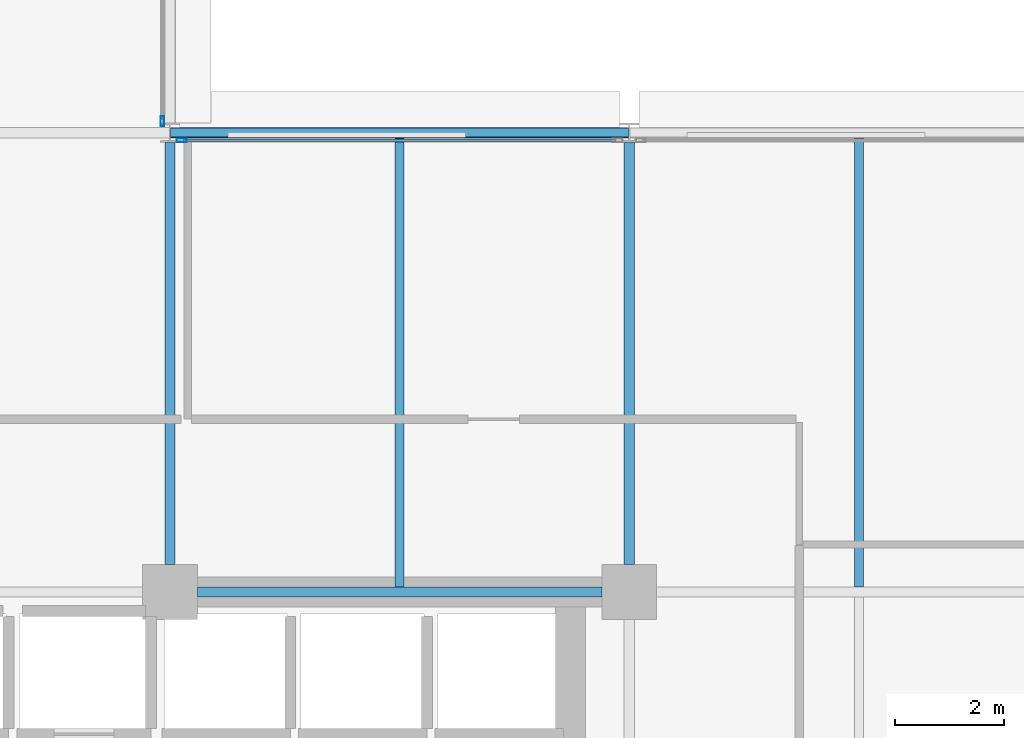
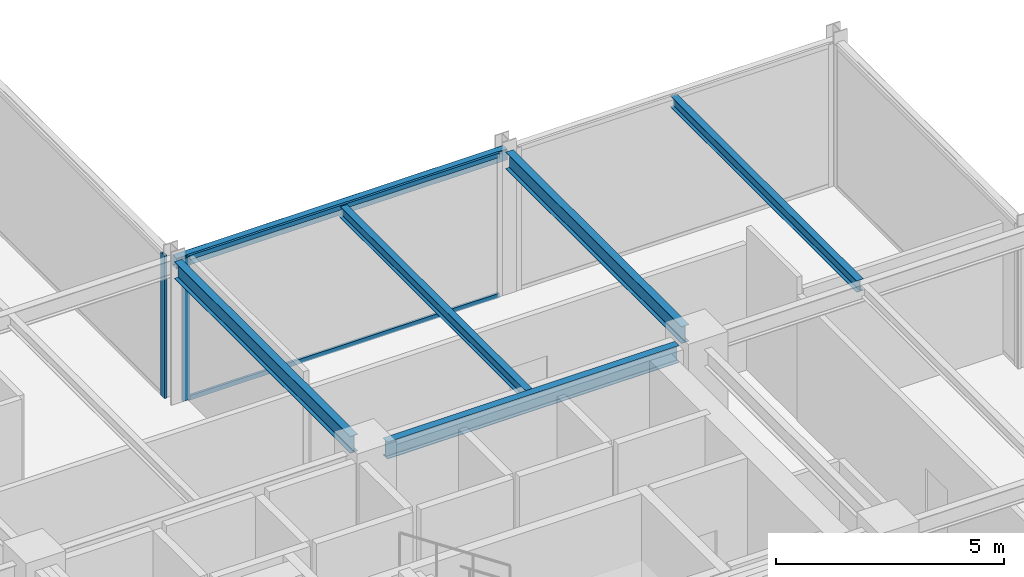
# One storey, part 14 of 29: 6 beams, 4 members, 2 elements without a shape of their own.
"""IFC4 building model written with IfcOpenShell, lengths in metres."""

import ifcopenshell
import ifcopenshell.guid

model = None  # the IFC model being written
_history = None  # IfcOwnerHistory: only IFC2X3 demands one
_inside = {}  # id of a spatial element -> (the spatial element, [elements in it])
_under = {}  # id of a project, library or spatial element -> (it, [spatial elements below it])
_declared = {}  # id of a project -> (the project, [libraries it declares])
_typed = {}  # id of a type object -> (the type object, [elements of that type])
_made_of = {}  # id of a material, layer set ... -> (it, [elements and type objects made of it])


def new_model(schema):
    """Start an empty IFC model of exactly this schema.

    Asked for "IFC4X3", IfcOpenShell would pick the latest addendum, in which some entities
    have other attributes; the version numbers below select the first issue.
    IFC2X3 requires an IfcOwnerHistory on every rooted entity: one is made here for all.
    """
    global model, _history
    if schema == "IFC4X3":
        model = ifcopenshell.file(schema_version=(4, 3, 0, 0))
    else:
        model = ifcopenshell.file(schema=schema)
    _inside.clear()
    _under.clear()
    _declared.clear()
    _typed.clear()
    _made_of.clear()
    _history = None
    if model.schema == "IFC2X3":
        org = make("IfcOrganization", Name="unknown")
        user = make(
            "IfcPersonAndOrganization",
            ThePerson=make("IfcPerson", FamilyName="unknown"),
            TheOrganization=org,
        )
        app = make(
            "IfcApplication",
            ApplicationDeveloper=org,
            Version="unknown",
            ApplicationFullName="unknown",
            ApplicationIdentifier="unknown",
        )
        _history = make(
            "IfcOwnerHistory",
            OwningUser=user,
            OwningApplication=app,
            ChangeAction="ADDED",
            CreationDate=0,
        )
    return model


def make(cls, **values):
    """One entity of the class cls with the attributes given. An attribute that is None is left unset."""
    return model.create_entity(
        cls, **{name: value for name, value in values.items() if value is not None}
    )


def rooted(cls, **values):
    """An entity with a GlobalId (a new one), such as an element, a storey or a relation."""
    return make(cls, GlobalId=ifcopenshell.guid.new(), OwnerHistory=_history, **values)


def si_unit(unit_type, name, prefix=None):
    """IfcSIUnit, for example si_unit("LENGTHUNIT", "METRE", prefix="MILLI")."""
    return make("IfcSIUnit", UnitType=unit_type, Prefix=prefix, Name=name)


def assignment(units):
    """IfcUnitAssignment: the units of a project."""
    return None if units is None else make("IfcUnitAssignment", Units=units)


def point(xyz):
    """IfcCartesianPoint."""
    return None if xyz is None else make("IfcCartesianPoint", Coordinates=xyz)


def direction(xyz):
    """IfcDirection."""
    return None if xyz is None else make("IfcDirection", DirectionRatios=xyz)


def frame(location, z_axis=None, x_axis=None):
    """IfcAxis2Placement3D, a coordinate frame: its origin and axes. An axis left out is left unset."""
    return make(
        "IfcAxis2Placement3D",
        Location=point(location),
        Axis=direction(z_axis),
        RefDirection=direction(x_axis),
    )


def frame_2d(location, x_axis=None):
    """IfcAxis2Placement2D, a coordinate frame in the plane: its origin and x axis."""
    return make(
        "IfcAxis2Placement2D", Location=point(location), RefDirection=direction(x_axis)
    )


def origin():
    """The frame at (0, 0, 0) with its axes left unset."""
    return frame((0.0, 0.0, 0.0))


def origin_2d():
    """The frame at (0, 0) in the plane with its x axis left unset."""
    return frame_2d((0.0, 0.0))


def place(relative_to, where):
    """IfcLocalPlacement: puts the frame where relative to a parent placement (None: the world)."""
    return make(
        "IfcLocalPlacement", PlacementRelTo=relative_to, RelativePlacement=where
    )


def context(
    kind, dimensions, precision=None, world=None, true_north=None, identifier=None
):
    """IfcGeometricRepresentationContext, for example the 3D "Model" context."""
    return make(
        "IfcGeometricRepresentationContext",
        ContextIdentifier=identifier,
        ContextType=kind,
        CoordinateSpaceDimension=dimensions,
        Precision=precision,
        WorldCoordinateSystem=world,
        TrueNorth=true_north,
    )


def subcontext(parent, identifier, kind, view, scale=None):
    """IfcGeometricRepresentationSubContext, for example "Body" below "Model"."""
    return make(
        "IfcGeometricRepresentationSubContext",
        ContextIdentifier=identifier,
        ContextType=kind,
        ParentContext=parent,
        TargetScale=scale,
        TargetView=view,
    )


def project(units=None, contexts=None):
    """IfcProject with its units and contexts."""
    return rooted(
        "IfcProject",
        Name="project",
        RepresentationContexts=contexts,
        UnitsInContext=assignment(units),
    )


def spatial(cls, under=None, at=None, **own):
    """A site, building, storey or space (cls), placed at a placement, below another one or the project."""
    s = rooted(cls, ObjectPlacement=at, **own)
    if under is not None:
        _under.setdefault(under.id(), (under, []))[1].append(s)
    return s


def profile(cls, at=None, kind="AREA", **sizes):
    """A parametric profile (cls). Its sizes go by their IFC names, for example OverallWidth=200.0."""
    return make(cls, ProfileType=kind, Position=at, **sizes)


def hollow_rectangle(**sizes):
    """IfcRectangleHollowProfileDef."""
    return profile("IfcRectangleHollowProfileDef", **sizes)


def i_section(**sizes):
    """IfcIShapeProfileDef."""
    return profile("IfcIShapeProfileDef", **sizes)


def extrude(swept, where, along, depth):
    """IfcExtrudedAreaSolid: the profile swept, set in the frame where, extruded along a direction by depth."""
    return make(
        "IfcExtrudedAreaSolid",
        SweptArea=swept,
        Position=where,
        ExtrudedDirection=direction(along),
        Depth=depth,
    )


def shape(context_of_items, identifier, shape_type, items):
    """IfcShapeRepresentation: the items that make up one representation, for example the "Body"."""
    return make(
        "IfcShapeRepresentation",
        ContextOfItems=context_of_items,
        RepresentationIdentifier=identifier,
        RepresentationType=shape_type,
        Items=items,
    )


def material(Name=None, Category=None):
    """IfcMaterial."""
    return make("IfcMaterial", Name=Name, Category=Category)


def layer(
    of_material, thickness, ventilated=None, Name=None, Category=None, Priority=None
):
    """IfcMaterialLayer: one layer of a wall or slab, of a material (None: an air gap)."""
    return make(
        "IfcMaterialLayer",
        Material=of_material,
        LayerThickness=thickness,
        IsVentilated=ventilated,
        Name=Name,
        Category=Category,
        Priority=Priority,
    )


def layer_set(layers, Name=None):
    """IfcMaterialLayerSet."""
    return make("IfcMaterialLayerSet", MaterialLayers=layers, LayerSetName=Name)


def material_profile(
    of_material, cross_section, Name=None, Category=None, Priority=None
):
    """IfcMaterialProfile: a cross section and its material."""
    return make(
        "IfcMaterialProfile",
        Name=Name,
        Material=of_material,
        Profile=cross_section,
        Priority=Priority,
        Category=Category,
    )


def profile_set(profiles, Name=None, composite=None):
    """IfcMaterialProfileSet."""
    return make(
        "IfcMaterialProfileSet",
        Name=Name,
        MaterialProfiles=profiles,
        CompositeProfile=composite,
    )


def made_of(thing, what):
    """Note that an element or type object is made of a material, layer set ...; save() writes the relation."""
    if what is not None:
        _made_of.setdefault(what.id(), (what, []))[1].append(thing)
    return thing


def type_object(cls, material=None, **own):
    """A type object (cls), such as IfcWallType, which elements share."""
    return made_of(rooted(cls, **own), material)


def element(
    cls,
    number,
    at=None,
    inside=None,
    cuts=None,
    type_object=None,
    material=None,
    context=None,
    identifier="Body",
    shape_type=None,
    held_by="IfcProductDefinitionShape",
    body=None,
    shapes=None,
    **own,
):
    """One element of the class cls, such as IfcWall. Its Tag is "e" and its number.

    at: its placement. inside: the storey or other place that contains it. cuts: it is an
    opening in that element (IfcRelVoidsElement). A single representation is given by context,
    identifier, shape_type and body (its items); several are given by shapes. held_by: the class
    of the entity that holds the representations. save() writes the other relations.
    """
    e = rooted(cls, Tag="e%d" % number, ObjectPlacement=at, **own)
    if body is not None:
        shapes = [shape(context, identifier, shape_type, body)]
    if shapes is not None:
        e.Representation = make(held_by, Representations=shapes)
    if inside is not None:
        _inside.setdefault(inside.id(), (inside, []))[1].append(e)
    if cuts is not None:
        rooted(
            "IfcRelVoidsElement", RelatingBuildingElement=cuts, RelatedOpeningElement=e
        )
    if type_object is not None:
        _typed.setdefault(type_object.id(), (type_object, []))[1].append(e)
    return made_of(e, material)


def aggregate(whole, parts):
    """IfcRelAggregates: a whole, such as a stair, and the parts it consists of."""
    return rooted("IfcRelAggregates", RelatingObject=whole, RelatedObjects=parts)


def save(model, path):
    """Write the relations noted so far, then the file.

    IfcRelAggregates (storeys below a building ...), IfcRelContainedInSpatialStructure (elements
    in a storey), IfcRelDefinesByType, IfcRelAssociatesMaterial and IfcRelDeclares: one each for
    every whole, place, type object, material and project.
    """
    for whole, parts in _under.values():
        aggregate(whole, parts)
    for where, things in _inside.values():
        rooted(
            "IfcRelContainedInSpatialStructure",
            RelatedElements=things,
            RelatingStructure=where,
        )
    for kind, things in _typed.values():
        rooted("IfcRelDefinesByType", RelatedObjects=things, RelatingType=kind)
    for what, things in _made_of.values():
        rooted("IfcRelAssociatesMaterial", RelatedObjects=things, RelatingMaterial=what)
    for by, libraries in _declared.values():
        rooted("IfcRelDeclares", RelatingContext=by, RelatedDefinitions=libraries)
    model.write(path)


model = new_model("IFC4")

# Units and contexts
model_context = context("Model", 3, precision=1e-05, world=origin(), true_north=direction((0.0, 1.0)))
body_context = subcontext(model_context, "Body", "Model", "MODEL_VIEW")
ifc_project = project(units=[si_unit("LENGTHUNIT", "METRE"), si_unit("AREAUNIT", "SQUARE_METRE"), si_unit("VOLUMEUNIT", "CUBIC_METRE"), si_unit("PLANEANGLEUNIT", "RADIAN"), si_unit("MASSUNIT", "GRAM", prefix="KILO")], contexts=[model_context])

# Site, building, storey
site_placement = place(None, origin())
site = spatial("IfcSite", under=ifc_project, at=site_placement, CompositionType="ELEMENT")
building_placement = place(site_placement, origin())
building = spatial("IfcBuilding", under=site, at=building_placement, Name="Nerrivon Quay Data Exchange", CompositionType="ELEMENT")
storey_placement = place(building_placement, frame((0.0, 0.0, 204.199951171875)))
storey = spatial("IfcBuildingStorey", under=building, at=storey_placement, Name="L48", CompositionType="ELEMENT", Elevation=204.199951171875)

# Beams
ifc_material_1 = material(Name="Steel Grade 350", Category="steel")
ifc_material_profile_1 = material_profile(ifc_material_1, i_section(OverallWidth=0.19091796875, OverallDepth=0.4599609375, WebThickness=0.010009765625, FlangeThickness=0.01611328125, FilletRadius=0.011474609375, at=origin_2d()), Name="460UB82.1")
ifc_profile_set_1 = profile_set([ifc_material_profile_1], Name="Steel Grade 350")
beam_type_1 = type_object("IfcBeamType", Name="BM-G5-460UB82", PredefinedType="BEAM", material=ifc_profile_set_1)
beam_1_placement = place(storey_placement, frame((25.699951171875, 16.800048828125, 3.594970703125), z_axis=(1.0, 0.0, 0.0), x_axis=(0.0, 1.0, 0.0)))
element("IfcBeam", 1, at=beam_1_placement, inside=storey, type_object=beam_type_1, Name="L48 EW Girder Y=16.8 (25.2..33.6)", PredefinedType="BEAM", context=body_context, shape_type="SweptSolid", body=[
    extrude(i_section(OverallWidth=0.19091796875, OverallDepth=0.4599609375, WebThickness=0.010009765625, FlangeThickness=0.01611328125, FilletRadius=0.011474609375, at=origin_2d()), origin(), (0.0, 0.0, 1.0), 7.400146484375),
])
ifc_material_profile_2 = material_profile(ifc_material_1, i_section(OverallWidth=0.18994140625, OverallDepth=0.4541015625, WebThickness=0.008544921875, FlangeThickness=0.0126953125, FilletRadius=0.011474609375, at=origin_2d()), Name="460UB67.1")
ifc_profile_set_2 = profile_set([ifc_material_profile_2], Name="Steel Grade 350")
beam_type_2 = type_object("IfcBeamType", Name="BM-G6-460UB67", PredefinedType="BEAM", material=ifc_profile_set_2)
for number, where, z_axis, x_axis, name in (
    (2, (25.199951171875, 17.300048828125, 3.59814453125), (0.0, 1.0, 0.0), (-1.0, 0.0, 0.0), "L48 NS Girder X=25.2 (16.8..25.2)"),
    (3, (33.60009765625, 17.300048828125, 3.59814453125), (0.0, 1.0, 0.0), (-1.0, 0.0, 0.0), "L48 NS Girder X=33.6 (16.8..25.2)"),
):
    element("IfcBeam", number, at=place(storey_placement, frame(where, z_axis=z_axis, x_axis=x_axis)), inside=storey, type_object=beam_type_2, Name=name, PredefinedType="BEAM", context=body_context, shape_type="SweptSolid", body=[
        extrude(i_section(OverallWidth=0.18994140625, OverallDepth=0.4541015625, WebThickness=0.008544921875, FlangeThickness=0.0126953125, FilletRadius=0.011474609375, at=origin_2d()), origin(), (0.0, 0.0, 1.0), 7.724853515625),
    ])
ifc_material_profile_3 = material_profile(ifc_material_1, i_section(OverallWidth=0.166015625, OverallDepth=0.306884765625, WebThickness=0.006591796875, FlangeThickness=0.01171875, FilletRadius=0.011474609375, at=origin_2d()), Name="310UB46.2")
ifc_profile_set_3 = profile_set([ifc_material_profile_3], Name="Steel Grade 350")
beam_type_3 = type_object("IfcBeamType", Name="BM-J5-310UB46", PredefinedType="JOIST", material=ifc_profile_set_3)
for number, where, z_axis, x_axis, name in (
    (4, (29.39990234375, 16.8955078125, 3.671630859375), (0.0, 1.0, 0.0), (-1.0, 0.0, 0.0), "L48 Secondary Joist X=29.4 (16.8..25.2)"),
    (5, (37.800048828125, 16.8955078125, 3.671630859375), (0.0, 1.0, 0.0), (-1.0, 0.0, 0.0), "L48 Secondary Joist X=37.8 (16.8..25.2)"),
):
    element("IfcBeam", number, at=place(storey_placement, frame(where, z_axis=z_axis, x_axis=x_axis)), inside=storey, type_object=beam_type_3, Name=name, PredefinedType="JOIST", context=body_context, shape_type="SweptSolid", body=[
        extrude(i_section(OverallWidth=0.166015625, OverallDepth=0.306884765625, WebThickness=0.006591796875, FlangeThickness=0.01171875, FilletRadius=0.011474609375, at=origin_2d()), origin(), (0.0, 0.0, 1.0), 8.20458984375),
    ])
ifc_material_2 = material(Name="Steel Grade C350L0 (350 MPa)", Category="steel")
ifc_material_profile_4 = material_profile(ifc_material_2, hollow_rectangle(XDim=0.199951171875, YDim=0.300048828125, WallThickness=0.012451171875, InnerFilletRadius=0.018798828125, OuterFilletRadius=0.03125, at=origin_2d()), Name="300x200x12.5RHS")
ifc_profile_set_4 = profile_set([ifc_material_profile_4], Name="Steel Grade C350L0 (350 MPa)")
beam_type_4 = type_object("IfcBeamType", Name="BM-SP3-300x200RHS", PredefinedType="SPANDREL", material=ifc_profile_set_4)
beam_2_placement = place(storey_placement, frame((25.2099609375, 25.199951171875, 3.675048828125), z_axis=(1.0, 0.0, 0.0), x_axis=(0.0, 1.0, 0.0)))
element("IfcBeam", 6, at=beam_2_placement, inside=storey, type_object=beam_type_4, Name="L48 EW Girder Y=25.2 (25.2..33.6)", PredefinedType="SPANDREL", context=body_context, shape_type="SweptSolid", body=[
    extrude(hollow_rectangle(XDim=0.199951171875, YDim=0.300048828125, WallThickness=0.012451171875, InnerFilletRadius=0.018798828125, OuterFilletRadius=0.03125, at=origin_2d()), origin(), (0.0, 0.0, 1.0), 8.380126953125),
])

# Curtain wall, member
ifc_material_3 = material(Name="Anodised aluminium 6063-T6", Category="aluminium")
ifc_layer = layer(ifc_material_3, 0.195068359375)
ifc_layer_set = layer_set([ifc_layer], Name="Anodised aluminium 6063-T6")
curtain_wall_type = type_object("IfcCurtainWallType", Name="CW-SYS-06", PredefinedType="NOTDEFINED", material=ifc_layer_set)
curtain_wall_1_placement = place(storey_placement, origin())
curtain_wall_1 = element("IfcCurtainWall", 7, at=curtain_wall_1_placement, inside=storey, type_object=curtain_wall_type, Name="L48 Unitised Curtain Wall 15", PredefinedType="NOTDEFINED")
ifc_material_profile_5 = material_profile(ifc_material_3, hollow_rectangle(XDim=0.06494140625, YDim=0.179931640625, WallThickness=0.00341796875, at=origin_2d()), Name="ALU-MULL-180x65")
ifc_profile_set_5 = profile_set([ifc_material_profile_5], Name="Anodised aluminium 6063-T6")
member_type_1 = type_object("IfcMemberType", Name="CWM-180x65", PredefinedType="MULLION", material=ifc_profile_set_5)
member_1_placement = place(storey_placement, frame((25.06005859375, 25.41259765625, 0.0), z_axis=(0.0, 0.0, 1.0), x_axis=(1.0, 0.0, 0.0)))
member_1 = element("IfcMember", 8, at=member_1_placement, type_object=member_type_1, Name="CW06 mullion 2", PredefinedType="MULLION", context=body_context, shape_type="SweptSolid", body=[
    extrude(hollow_rectangle(XDim=0.06494140625, YDim=0.179931640625, WallThickness=0.00341796875, at=origin_2d()), origin(), (0.0, 0.0, 1.0), 3.824951171875),
])
aggregate(curtain_wall_1, [member_1])

# Curtain wall, members
curtain_wall_2_placement = place(storey_placement, origin())
curtain_wall_2 = element("IfcCurtainWall", 9, at=curtain_wall_2_placement, inside=storey, type_object=curtain_wall_type, Name="L48 Unitised Curtain Wall 16", PredefinedType="NOTDEFINED")
member_2_placement = place(storey_placement, frame((25.41259765625, 25.06005859375, 0.0), z_axis=(0.0, 0.0, 1.0), x_axis=(0.0, 1.0, 0.0)))
member_2 = element("IfcMember", 10, at=member_2_placement, type_object=member_type_1, Name="CW06 mullion 1", PredefinedType="MULLION", context=body_context, shape_type="SweptSolid", body=[
    extrude(hollow_rectangle(XDim=0.06494140625, YDim=0.179931640625, WallThickness=0.00341796875, at=origin_2d()), origin(), (0.0, 0.0, 1.0), 3.824951171875),
])
ifc_material_profile_6 = material_profile(ifc_material_3, hollow_rectangle(XDim=0.06005859375, YDim=0.1201171875, WallThickness=0.003173828125, at=origin_2d()), Name="ALU-TRAN-120x60")
ifc_profile_set_6 = profile_set([ifc_material_profile_6], Name="Anodised aluminium 6063-T6")
member_type_2 = type_object("IfcMemberType", Name="CWT-120x60", PredefinedType="USERDEFINED", material=ifc_profile_set_6)
member_3_placement = place(storey_placement, frame((25.449951171875, 25.06005859375, 0.032470703125), z_axis=(1.0, 0.0, 0.0), x_axis=(0.0, 1.0, 0.0)))
member_3 = element("IfcMember", 11, at=member_3_placement, type_object=member_type_2, Name="CW06 transom 1.1", ObjectType="TRANSOM", PredefinedType="USERDEFINED", context=body_context, shape_type="SweptSolid", body=[
    extrude(hollow_rectangle(XDim=0.06005859375, YDim=0.1201171875, WallThickness=0.003173828125, at=origin_2d()), origin(), (0.0, 0.0, 1.0), 7.900146484375),
])
member_4_placement = place(storey_placement, frame((25.449951171875, 25.06005859375, 3.79248046875), z_axis=(1.0, 0.0, 0.0), x_axis=(0.0, 1.0, 0.0)))
member_4 = element("IfcMember", 12, at=member_4_placement, type_object=member_type_2, Name="CW06 transom 1.2", ObjectType="TRANSOM", PredefinedType="USERDEFINED", context=body_context, shape_type="SweptSolid", body=[
    extrude(hollow_rectangle(XDim=0.06005859375, YDim=0.1201171875, WallThickness=0.003173828125, at=origin_2d()), origin(), (0.0, 0.0, 1.0), 7.900146484375),
])
aggregate(curtain_wall_2, [member_2, member_3, member_4])

save(model, "model.ifc")
